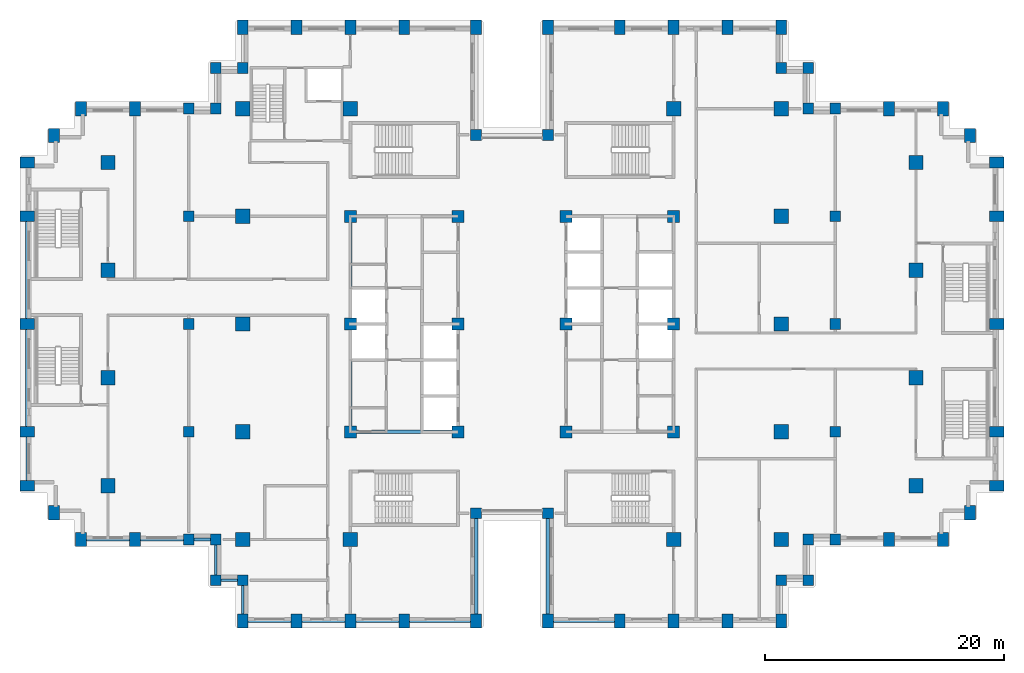
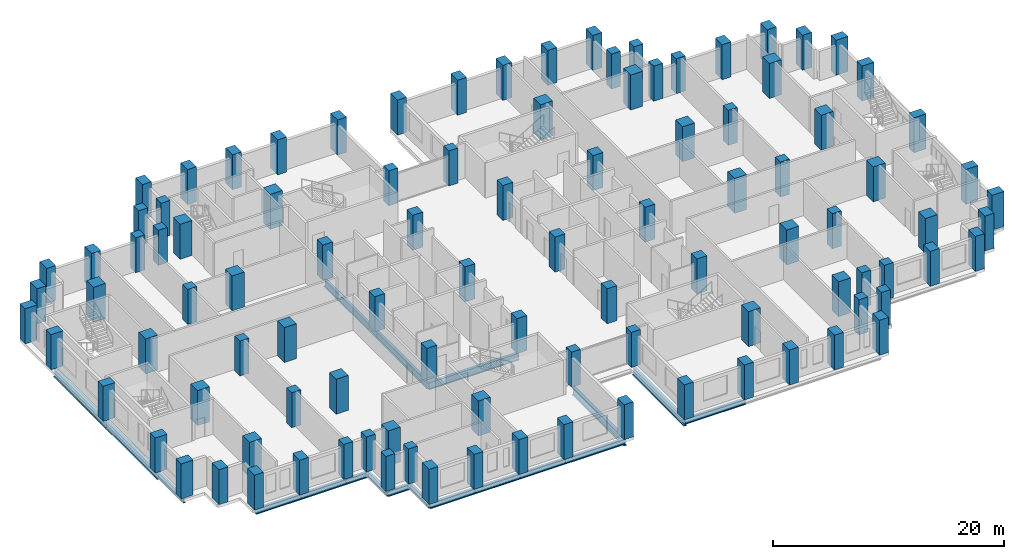
# One storey, part 1 of 16: 102 columns, 19 beams.
"""IFC4 building model written with IfcOpenShell, lengths in metres."""

from ifc_helpers import new_model, si_unit, direction, frame, origin, origin_2d, place, context, subcontext, project, spatial, rectangle, i_section, extrude, material, material_profile, profile_set, type_object, element, save


model = new_model("IFC4")

# Units and contexts
model_context = context("Model", 3, precision=1e-05, world=origin(), true_north=direction((0.0, 1.0)))
body_context = subcontext(model_context, "Body", "Model", "MODEL_VIEW")
ifc_project = project(units=[si_unit("LENGTHUNIT", "METRE"), si_unit("AREAUNIT", "SQUARE_METRE"), si_unit("VOLUMEUNIT", "CUBIC_METRE"), si_unit("PLANEANGLEUNIT", "RADIAN"), si_unit("MASSUNIT", "GRAM", prefix="KILO")], contexts=[model_context])

# Site, building, storey
site_placement = place(None, origin())
site = spatial("IfcSite", under=ifc_project, at=site_placement, CompositionType="ELEMENT")
building_placement = place(site_placement, origin())
building = spatial("IfcBuilding", under=site, at=building_placement, Name="Corbelhall Arena Tower", CompositionType="ELEMENT")
storey_placement = place(building_placement, frame((0.0, 0.0, 72.0)))
storey = spatial("IfcBuildingStorey", under=building, at=storey_placement, Name="L10", CompositionType="ELEMENT", Elevation=72.0)

# Columns
ifc_material_1 = material(Name="Concrete C80/95", Category="concrete")
ifc_material_profile_1 = material_profile(ifc_material_1, rectangle(XDim=1.0, YDim=1.0, at=origin_2d()))
ifc_profile_set_1 = profile_set([ifc_material_profile_1], Name="Concrete C80/95")
column_type_1 = type_object("IfcColumnType", Name="ST-COL-RC 1000x1000", PredefinedType="COLUMN", material=ifc_profile_set_1)
for number, where, z_axis, x_axis, name in (
    (1, (4.5, 0.0, 0.0), (0.0, 0.0, 1.0), (1.0, 0.0, 0.0), "Column KE+0450+0000"),
    (2, (4.5, 9.0, 0.0), (0.0, 0.0, 1.0), (1.0, 0.0, 0.0), "Column KE+0450+0900"),
    (3, (4.5, -9.0, 0.0), (0.0, 0.0, 1.0), (1.0, 0.0, 0.0), "Column KE+0450-0900"),
    (4, (13.5, 0.0, 0.0), (0.0, 0.0, 1.0), (1.0, 0.0, 0.0), "Column KE+1350+0000"),
    (5, (13.5, 9.0, 0.0), (0.0, 0.0, 1.0), (1.0, 0.0, 0.0), "Column KE+1350+0900"),
    (6, (13.5, -9.0, 0.0), (0.0, 0.0, 1.0), (1.0, 0.0, 0.0), "Column KE+1350-0900"),
    (7, (-4.5, 0.0, 0.0), (0.0, 0.0, 1.0), (1.0, 0.0, 0.0), "Column KW-0450+0000"),
    (8, (-4.5, 9.0, 0.0), (0.0, 0.0, 1.0), (1.0, 0.0, 0.0), "Column KW-0450+0900"),
    (9, (-4.5, -9.0, 0.0), (0.0, 0.0, 1.0), (1.0, 0.0, 0.0), "Column KW-0450-0900"),
    (10, (-13.5, 0.0, 0.0), (0.0, 0.0, 1.0), (1.0, 0.0, 0.0), "Column KW-1350+0000"),
    (11, (-13.5, 9.0, 0.0), (0.0, 0.0, 1.0), (1.0, 0.0, 0.0), "Column KW-1350+0900"),
    (12, (-13.5, -9.0, 0.0), (0.0, 0.0, 1.0), (1.0, 0.0, 0.0), "Column KW-1350-0900"),
):
    element("IfcColumn", number, at=place(storey_placement, frame(where, z_axis=z_axis, x_axis=x_axis)), inside=storey, type_object=column_type_1, Name=name, PredefinedType="COLUMN", context=body_context, shape_type="SweptSolid", body=[
        extrude(rectangle(XDim=1.0, YDim=1.0, at=origin_2d()), origin(), (0.0, 0.0, 1.0), 3.699951171875),
    ])
ifc_material_profile_2 = material_profile(ifc_material_1, rectangle(XDim=1.199951171875, YDim=1.199951171875, at=origin_2d()))
ifc_profile_set_2 = profile_set([ifc_material_profile_2], Name="Concrete C80/95")
column_type_2 = type_object("IfcColumnType", Name="ST-COL-RC 1200x1200", PredefinedType="COLUMN", material=ifc_profile_set_2)
for number, where, z_axis, x_axis, name in (
    (13, (-33.75, 4.5, 0.0), (0.0, 0.0, 1.0), (1.0, 0.0, 0.0), "Column FIC+0450"),
    (14, (-33.75, 13.5, 0.0), (0.0, 0.0, 1.0), (1.0, 0.0, 0.0), "Column FIC+1350"),
    (15, (-33.75, -4.5, 0.0), (0.0, 0.0, 1.0), (1.0, 0.0, 0.0), "Column FIC-0450"),
    (16, (-33.75, -13.5, 0.0), (0.0, 0.0, 1.0), (1.0, 0.0, 0.0), "Column FIC-1350"),
    (17, (33.75, 4.5, 0.0), (0.0, 0.0, 1.0), (1.0, 0.0, 0.0), "Column FID+0450"),
    (18, (33.75, 13.5, 0.0), (0.0, 0.0, 1.0), (1.0, 0.0, 0.0), "Column FID+1350"),
    (19, (33.75, -4.5, 0.0), (0.0, 0.0, 1.0), (1.0, 0.0, 0.0), "Column FID-0450"),
    (20, (33.75, -13.5, 0.0), (0.0, 0.0, 1.0), (1.0, 0.0, 0.0), "Column FID-1350"),
    (21, (13.5, 18.0, 0.0), (0.0, 0.0, 1.0), (1.0, 0.0, 0.0), "Column IE13+1800"),
    (22, (13.5, -18.0, 0.0), (0.0, 0.0, 1.0), (1.0, 0.0, 0.0), "Column IE13-1800"),
    (23, (22.5, 0.0, 0.0), (0.0, 0.0, 1.0), (1.0, 0.0, 0.0), "Column IE22+0000"),
    (24, (22.5, 9.0, 0.0), (0.0, 0.0, 1.0), (1.0, 0.0, 0.0), "Column IE22+0900"),
    (25, (22.5, 18.0, 0.0), (0.0, 0.0, 1.0), (1.0, 0.0, 0.0), "Column IE22+1800"),
    (26, (22.5, -9.0, 0.0), (0.0, 0.0, 1.0), (1.0, 0.0, 0.0), "Column IE22-0900"),
    (27, (22.5, -18.0, 0.0), (0.0, 0.0, 1.0), (1.0, 0.0, 0.0), "Column IE22-1800"),
    (28, (-13.5, 18.0, 0.0), (0.0, 0.0, 1.0), (1.0, 0.0, 0.0), "Column IW13+1800"),
    (29, (-13.5, -18.0, 0.0), (0.0, 0.0, 1.0), (1.0, 0.0, 0.0), "Column IW13-1800"),
    (30, (-22.5, 0.0, 0.0), (0.0, 0.0, 1.0), (1.0, 0.0, 0.0), "Column IW22+0000"),
    (31, (-22.5, 9.0, 0.0), (0.0, 0.0, 1.0), (1.0, 0.0, 0.0), "Column IW22+0900"),
    (32, (-22.5, 18.0, 0.0), (0.0, 0.0, 1.0), (1.0, 0.0, 0.0), "Column IW22+1800"),
    (33, (-22.5, -9.0, 0.0), (0.0, 0.0, 1.0), (1.0, 0.0, 0.0), "Column IW22-0900"),
    (34, (-22.5, -18.0, 0.0), (0.0, 0.0, 1.0), (1.0, 0.0, 0.0), "Column IW22-1800"),
):
    element("IfcColumn", number, at=place(storey_placement, frame(where, z_axis=z_axis, x_axis=x_axis)), inside=storey, type_object=column_type_2, Name=name, PredefinedType="COLUMN", context=body_context, shape_type="SweptSolid", body=[
        extrude(rectangle(XDim=1.199951171875, YDim=1.199951171875, at=origin_2d()), origin(), (0.0, 0.0, 1.0), 3.699951171875),
    ])
ifc_material_profile_3 = material_profile(ifc_material_1, rectangle(XDim=0.89990234375, YDim=1.199951171875, at=origin_2d()))
ifc_profile_set_3 = profile_set([ifc_material_profile_3], Name="Concrete C80/95")
column_type_3 = type_object("IfcColumnType", Name="ST-COL-RC 900x1200", PredefinedType="COLUMN", material=ifc_profile_set_3)
for number, where, z_axis, x_axis, name in (
    (35, (-40.5, 0.0, 0.0), (0.0, 0.0, 1.0), (0.0, 1.0, 0.0), "Column FC+0000"),
    (36, (-40.5, 9.0, 0.0), (0.0, 0.0, 1.0), (0.0, 1.0, 0.0), "Column FC+0900"),
    (37, (-40.5, 13.5, 0.0), (0.0, 0.0, 1.0), (0.0, 1.0, 0.0), "Column FC+1350"),
    (38, (-40.5, -9.0, 0.0), (0.0, 0.0, 1.0), (0.0, 1.0, 0.0), "Column FC-0900"),
    (39, (-40.5, -13.5, 0.0), (0.0, 0.0, 1.0), (0.0, 1.0, 0.0), "Column FC-1350"),
    (40, (-38.25, 15.75, 0.0), (0.0, 0.0, 1.0), (1.0, 0.0, 0.0), "Column FCCN"),
    (41, (-38.25, -15.75, 0.0), (0.0, 0.0, 1.0), (1.0, 0.0, 0.0), "Column FCCS"),
    (42, (-31.5, 18.0, 0.0), (0.0, 0.0, 1.0), (1.0, 0.0, 0.0), "Column FCN3150"),
    (43, (-36.0, 18.0, 0.0), (0.0, 0.0, 1.0), (1.0, 0.0, 0.0), "Column FCN3600"),
    (44, (-31.5, -18.0, 0.0), (0.0, 0.0, 1.0), (1.0, 0.0, 0.0), "Column FCS3150"),
    (45, (-36.0, -18.0, 0.0), (0.0, 0.0, 1.0), (1.0, 0.0, 0.0), "Column FCS3600"),
    (46, (40.5, 0.0, 0.0), (0.0, 0.0, 1.0), (0.0, 1.0, 0.0), "Column FD+0000"),
    (47, (40.5, 9.0, 0.0), (0.0, 0.0, 1.0), (0.0, 1.0, 0.0), "Column FD+0900"),
    (48, (40.5, 13.5, 0.0), (0.0, 0.0, 1.0), (0.0, 1.0, 0.0), "Column FD+1350"),
    (49, (40.5, -9.0, 0.0), (0.0, 0.0, 1.0), (0.0, 1.0, 0.0), "Column FD-0900"),
    (50, (40.5, -13.5, 0.0), (0.0, 0.0, 1.0), (0.0, 1.0, 0.0), "Column FD-1350"),
    (51, (38.25, 15.75, 0.0), (0.0, 0.0, 1.0), (1.0, 0.0, 0.0), "Column FDCN"),
    (52, (38.25, -15.75, 0.0), (0.0, 0.0, 1.0), (1.0, 0.0, 0.0), "Column FDCS"),
    (53, (31.5, 18.0, 0.0), (0.0, 0.0, 1.0), (1.0, 0.0, 0.0), "Column FDN3150"),
    (54, (36.0, 18.0, 0.0), (0.0, 0.0, 1.0), (1.0, 0.0, 0.0), "Column FDN3600"),
    (55, (31.5, -18.0, 0.0), (0.0, 0.0, 1.0), (1.0, 0.0, 0.0), "Column FDS3150"),
    (56, (36.0, -18.0, 0.0), (0.0, 0.0, 1.0), (1.0, 0.0, 0.0), "Column FDS3600"),
    (57, (3.0, 24.800048828125, 0.0), (0.0, 0.0, 1.0), (1.0, 0.0, 0.0), "Column PNE0300"),
    (58, (9.0, 24.800048828125, 0.0), (0.0, 0.0, 1.0), (1.0, 0.0, 0.0), "Column PNE0900"),
    (59, (13.5, 24.800048828125, 0.0), (0.0, 0.0, 1.0), (1.0, 0.0, 0.0), "Column PNE1350"),
    (60, (18.0, 24.800048828125, 0.0), (0.0, 0.0, 1.0), (1.0, 0.0, 0.0), "Column PNE1800"),
    (61, (22.5, 24.800048828125, 0.0), (0.0, 0.0, 1.0), (1.0, 0.0, 0.0), "Column PNE2250"),
    (62, (-3.0, 24.800048828125, 0.0), (0.0, 0.0, 1.0), (1.0, 0.0, 0.0), "Column PNW0300"),
    (63, (-9.0, 24.800048828125, 0.0), (0.0, 0.0, 1.0), (1.0, 0.0, 0.0), "Column PNW0900"),
    (64, (-13.5, 24.800048828125, 0.0), (0.0, 0.0, 1.0), (1.0, 0.0, 0.0), "Column PNW1350"),
    (65, (-18.0, 24.800048828125, 0.0), (0.0, 0.0, 1.0), (1.0, 0.0, 0.0), "Column PNW1800"),
    (66, (-22.5, 24.800048828125, 0.0), (0.0, 0.0, 1.0), (1.0, 0.0, 0.0), "Column PNW2250"),
    (67, (3.0, -24.800048828125, 0.0), (0.0, 0.0, 1.0), (1.0, 0.0, 0.0), "Column PSE0300"),
    (68, (9.0, -24.800048828125, 0.0), (0.0, 0.0, 1.0), (1.0, 0.0, 0.0), "Column PSE0900"),
    (69, (13.5, -24.800048828125, 0.0), (0.0, 0.0, 1.0), (1.0, 0.0, 0.0), "Column PSE1350"),
    (70, (18.0, -24.800048828125, 0.0), (0.0, 0.0, 1.0), (1.0, 0.0, 0.0), "Column PSE1800"),
    (71, (22.5, -24.800048828125, 0.0), (0.0, 0.0, 1.0), (1.0, 0.0, 0.0), "Column PSE2250"),
    (72, (-3.0, -24.800048828125, 0.0), (0.0, 0.0, 1.0), (1.0, 0.0, 0.0), "Column PSW0300"),
    (73, (-9.0, -24.800048828125, 0.0), (0.0, 0.0, 1.0), (1.0, 0.0, 0.0), "Column PSW0900"),
    (74, (-13.5, -24.800048828125, 0.0), (0.0, 0.0, 1.0), (1.0, 0.0, 0.0), "Column PSW1350"),
    (75, (-18.0, -24.800048828125, 0.0), (0.0, 0.0, 1.0), (1.0, 0.0, 0.0), "Column PSW1800"),
    (76, (-22.5, -24.800048828125, 0.0), (0.0, 0.0, 1.0), (1.0, 0.0, 0.0), "Column PSW2250"),
):
    element("IfcColumn", number, at=place(storey_placement, frame(where, z_axis=z_axis, x_axis=x_axis)), inside=storey, type_object=column_type_3, Name=name, PredefinedType="COLUMN", context=body_context, shape_type="SweptSolid", body=[
        extrude(rectangle(XDim=0.89990234375, YDim=1.199951171875, at=origin_2d()), origin(), (0.0, 0.0, 1.0), 3.699951171875),
    ])
ifc_material_profile_4 = material_profile(ifc_material_1, rectangle(XDim=0.89990234375, YDim=0.89990234375, at=origin_2d()))
ifc_profile_set_4 = profile_set([ifc_material_profile_4], Name="Concrete C80/95")
column_type_4 = type_object("IfcColumnType", Name="ST-COL-RC 900x900", PredefinedType="COLUMN", material=ifc_profile_set_4)
for number, where, z_axis, x_axis, name in (
    (77, (27.0, 0.0, 0.0), (0.0, 0.0, 1.0), (1.0, 0.0, 0.0), "Column PE+0000"),
    (78, (27.0, 9.0, 0.0), (0.0, 0.0, 1.0), (1.0, 0.0, 0.0), "Column PE+0900"),
    (79, (27.0, 18.0, 0.0), (0.0, 0.0, 1.0), (1.0, 0.0, 0.0), "Column PE+1800"),
    (80, (27.0, -9.0, 0.0), (0.0, 0.0, 1.0), (1.0, 0.0, 0.0), "Column PE-0900"),
    (81, (27.0, -18.0, 0.0), (0.0, 0.0, 1.0), (1.0, 0.0, 0.0), "Column PE-1800"),
    (82, (-27.0, 0.0, 0.0), (0.0, 0.0, 1.0), (1.0, 0.0, 0.0), "Column PW+0000"),
    (83, (-27.0, 9.0, 0.0), (0.0, 0.0, 1.0), (1.0, 0.0, 0.0), "Column PW+0900"),
    (84, (-27.0, 18.0, 0.0), (0.0, 0.0, 1.0), (1.0, 0.0, 0.0), "Column PW+1800"),
    (85, (-27.0, -9.0, 0.0), (0.0, 0.0, 1.0), (1.0, 0.0, 0.0), "Column PW-0900"),
    (86, (-27.0, -18.0, 0.0), (0.0, 0.0, 1.0), (1.0, 0.0, 0.0), "Column PW-1800"),
    (87, (3.0, 15.800048828125, 0.0), (0.0, 0.0, 1.0), (1.0, 0.0, 0.0), "Column SLNE2"),
    (88, (-3.0, 15.800048828125, 0.0), (0.0, 0.0, 1.0), (1.0, 0.0, 0.0), "Column SLNW2"),
    (89, (3.0, -15.800048828125, 0.0), (0.0, 0.0, 1.0), (1.0, 0.0, 0.0), "Column SLSE2"),
    (90, (-3.0, -15.800048828125, 0.0), (0.0, 0.0, 1.0), (1.0, 0.0, 0.0), "Column SLSW2"),
    (91, (22.5, 21.39990234375, 0.0), (0.0, 0.0, 1.0), (1.0, 0.0, 0.0), "Column XNE1"),
    (92, (24.75, 21.39990234375, 0.0), (0.0, 0.0, 1.0), (1.0, 0.0, 0.0), "Column XNE2"),
    (93, (24.75, 18.0, 0.0), (0.0, 0.0, 1.0), (1.0, 0.0, 0.0), "Column XNE3"),
    (94, (-22.5, 21.39990234375, 0.0), (0.0, 0.0, 1.0), (1.0, 0.0, 0.0), "Column XNW1"),
    (95, (-24.75, 21.39990234375, 0.0), (0.0, 0.0, 1.0), (1.0, 0.0, 0.0), "Column XNW2"),
    (96, (-24.75, 18.0, 0.0), (0.0, 0.0, 1.0), (1.0, 0.0, 0.0), "Column XNW3"),
    (97, (22.5, -21.39990234375, 0.0), (0.0, 0.0, 1.0), (1.0, 0.0, 0.0), "Column XSE1"),
    (98, (24.75, -21.39990234375, 0.0), (0.0, 0.0, 1.0), (1.0, 0.0, 0.0), "Column XSE2"),
    (99, (24.75, -18.0, 0.0), (0.0, 0.0, 1.0), (1.0, 0.0, 0.0), "Column XSE3"),
    (100, (-22.5, -21.39990234375, 0.0), (0.0, 0.0, 1.0), (1.0, 0.0, 0.0), "Column XSW1"),
    (101, (-24.75, -21.39990234375, 0.0), (0.0, 0.0, 1.0), (1.0, 0.0, 0.0), "Column XSW2"),
    (102, (-24.75, -18.0, 0.0), (0.0, 0.0, 1.0), (1.0, 0.0, 0.0), "Column XSW3"),
):
    element("IfcColumn", number, at=place(storey_placement, frame(where, z_axis=z_axis, x_axis=x_axis)), inside=storey, type_object=column_type_4, Name=name, PredefinedType="COLUMN", context=body_context, shape_type="SweptSolid", body=[
        extrude(rectangle(XDim=0.89990234375, YDim=0.89990234375, at=origin_2d()), origin(), (0.0, 0.0, 1.0), 3.699951171875),
    ])

# Beams
ifc_material_2 = material(Name="Steel ASTM A992 Gr50", Category="steel")
ifc_material_profile_5 = material_profile(ifc_material_2, i_section(OverallWidth=0.2666015625, OverallDepth=0.761962890625, WebThickness=0.014404296875, FlangeThickness=0.021484375, at=origin_2d()))
ifc_profile_set_5 = profile_set([ifc_material_profile_5], Name="Steel ASTM A992 Gr50")
beam_type_1 = type_object("IfcBeamType", Name="ST-BEAM-W30x116", PredefinedType="BEAM", material=ifc_profile_set_5)
for number, where, z_axis, x_axis, name in (
    (103, (-13.5, -9.0, -0.680908203125), (0.0, 1.0, 0.0), (-1.0, 0.0, 0.0), "Beam CEW 1"),
    (104, (-13.5, 0.0, -0.680908203125), (0.0, 1.0, 0.0), (-1.0, 0.0, 0.0), "Beam CEW 2"),
    (105, (-13.5, -9.0, -0.680908203125), (1.0, 0.0, 0.0), (0.0, 1.0, 0.0), "Beam CEW 5"),
):
    element("IfcBeam", number, at=place(storey_placement, frame(where, z_axis=z_axis, x_axis=x_axis)), inside=storey, type_object=beam_type_1, Name=name, PredefinedType="BEAM", context=body_context, shape_type="SweptSolid", body=[
        extrude(i_section(OverallWidth=0.2666015625, OverallDepth=0.761962890625, WebThickness=0.014404296875, FlangeThickness=0.021484375, at=origin_2d()), origin(), (0.0, 0.0, 1.0), 9.0),
    ])
ifc_material_profile_6 = material_profile(ifc_material_2, i_section(OverallWidth=0.23046875, OverallDepth=0.6171875, WebThickness=0.01318359375, FlangeThickness=0.022216796875, at=origin_2d()))
ifc_profile_set_6 = profile_set([ifc_material_profile_6], Name="Steel ASTM A992 Gr50")
beam_type_2 = type_object("IfcBeamType", Name="ST-SPANDREL-W24x94", PredefinedType="SPANDREL", material=ifc_profile_set_6)
for number, where, z_axis, x_axis, name in (
    (106, (-40.5, -13.5, -0.608642578125), (0.0, 1.0, 0.0), (-1.0, 0.0, 0.0), "Beam SP 4"),
    (107, (-31.5, -18.0, -0.608642578125), (-1.0, 0.0, 0.0), (0.0, -1.0, 0.0), "Beam SP 7"),
):
    element("IfcBeam", number, at=place(storey_placement, frame(where, z_axis=z_axis, x_axis=x_axis)), inside=storey, type_object=beam_type_2, Name=name, PredefinedType="SPANDREL", context=body_context, shape_type="SweptSolid", body=[
        extrude(i_section(OverallWidth=0.23046875, OverallDepth=0.6171875, WebThickness=0.01318359375, FlangeThickness=0.022216796875, at=origin_2d()), origin(), (0.0, 0.0, 1.0), 4.5),
    ])
for number, where, z_axis, x_axis, name in (
    (108, (9.0, -24.800048828125, -0.608642578125), (-1.0, 0.0, 0.0), (0.0, -1.0, 0.0), "Beam SP 28"),
    (109, (-3.0, -24.800048828125, -0.608642578125), (-1.0, 0.0, 0.0), (0.0, -1.0, 0.0), "Beam SP 32"),
):
    element("IfcBeam", number, at=place(storey_placement, frame(where, z_axis=z_axis, x_axis=x_axis)), inside=storey, type_object=beam_type_2, Name=name, PredefinedType="SPANDREL", context=body_context, shape_type="SweptSolid", body=[
        extrude(i_section(OverallWidth=0.23046875, OverallDepth=0.6171875, WebThickness=0.01318359375, FlangeThickness=0.022216796875, at=origin_2d()), origin(), (0.0, 0.0, 1.0), 6.0),
    ])
for number, where, z_axis, x_axis, name in (
    (110, (-9.0, -24.800048828125, -0.608642578125), (-1.0, 0.0, 0.0), (0.0, -1.0, 0.0), "Beam SP 33"),
    (111, (-13.5, -24.800048828125, -0.608642578125), (-1.0, 0.0, 0.0), (0.0, -1.0, 0.0), "Beam SP 34"),
    (112, (-18.0, -24.800048828125, -0.608642578125), (-1.0, 0.0, 0.0), (0.0, -1.0, 0.0), "Beam SP 35"),
):
    element("IfcBeam", number, at=place(storey_placement, frame(where, z_axis=z_axis, x_axis=x_axis)), inside=storey, type_object=beam_type_2, Name=name, PredefinedType="SPANDREL", context=body_context, shape_type="SweptSolid", body=[
        extrude(i_section(OverallWidth=0.23046875, OverallDepth=0.6171875, WebThickness=0.01318359375, FlangeThickness=0.022216796875, at=origin_2d()), origin(), (0.0, 0.0, 1.0), 4.5),
    ])
beam_1_placement = place(storey_placement, frame((-22.5, -24.800048828125, -0.608642578125), z_axis=(0.0, 1.0, 0.0), x_axis=(-1.0, 0.0, 0.0)))
element("IfcBeam", 113, at=beam_1_placement, inside=storey, type_object=beam_type_2, Name="Beam SP 36", PredefinedType="SPANDREL", context=body_context, shape_type="SweptSolid", body=[
    extrude(i_section(OverallWidth=0.23046875, OverallDepth=0.6171875, WebThickness=0.01318359375, FlangeThickness=0.022216796875, at=origin_2d()), origin(), (0.0, 0.0, 1.0), 3.400146484375),
])
beam_2_placement = place(storey_placement, frame((-27.0, -18.0, -0.608642578125), z_axis=(-1.0, 0.0, 0.0), x_axis=(0.0, -1.0, 0.0)))
element("IfcBeam", 114, at=beam_2_placement, inside=storey, type_object=beam_type_2, Name="Beam SP 38", PredefinedType="SPANDREL", context=body_context, shape_type="SweptSolid", body=[
    extrude(i_section(OverallWidth=0.23046875, OverallDepth=0.6171875, WebThickness=0.01318359375, FlangeThickness=0.022216796875, at=origin_2d()), origin(), (0.0, 0.0, 1.0), 4.5),
])
beam_3_placement = place(storey_placement, frame((-22.5, -21.39990234375, -0.608642578125), z_axis=(-1.0, 0.0, 0.0), x_axis=(0.0, -1.0, 0.0)))
element("IfcBeam", 115, at=beam_3_placement, inside=storey, type_object=beam_type_2, Name="Beam SP 52", PredefinedType="SPANDREL", context=body_context, shape_type="SweptSolid", body=[
    extrude(i_section(OverallWidth=0.23046875, OverallDepth=0.6171875, WebThickness=0.01318359375, FlangeThickness=0.022216796875, at=origin_2d()), origin(), (0.0, 0.0, 1.0), 2.25),
])
beam_4_placement = place(storey_placement, frame((-24.75, -21.39990234375, -0.608642578125), z_axis=(0.0, 1.0, 0.0), x_axis=(-1.0, 0.0, 0.0)))
element("IfcBeam", 116, at=beam_4_placement, inside=storey, type_object=beam_type_2, Name="Beam SP 53", PredefinedType="SPANDREL", context=body_context, shape_type="SweptSolid", body=[
    extrude(i_section(OverallWidth=0.23046875, OverallDepth=0.6171875, WebThickness=0.01318359375, FlangeThickness=0.022216796875, at=origin_2d()), origin(), (0.0, 0.0, 1.0), 3.39990234375),
])
beam_5_placement = place(storey_placement, frame((-24.75, -18.0, -0.608642578125), z_axis=(-1.0, 0.0, 0.0), x_axis=(0.0, -1.0, 0.0)))
element("IfcBeam", 117, at=beam_5_placement, inside=storey, type_object=beam_type_2, Name="Beam SP 54", PredefinedType="SPANDREL", context=body_context, shape_type="SweptSolid", body=[
    extrude(i_section(OverallWidth=0.23046875, OverallDepth=0.6171875, WebThickness=0.01318359375, FlangeThickness=0.022216796875, at=origin_2d()), origin(), (0.0, 0.0, 1.0), 2.25),
])
ifc_material_profile_7 = material_profile(ifc_material_2, i_section(OverallWidth=0.2919921875, OverallDepth=0.845703125, WebThickness=0.015380859375, FlangeThickness=0.0244140625, at=origin_2d()))
ifc_profile_set_7 = profile_set([ifc_material_profile_7], Name="Steel ASTM A992 Gr50")
beam_type_3 = type_object("IfcBeamType", Name="ST-SPANDREL-W33x141", PredefinedType="SPANDREL", material=ifc_profile_set_7)
for number, where, z_axis, x_axis, name in (
    (118, (-40.5, 0.0, -0.722900390625), (0.0, 1.0, 0.0), (-1.0, 0.0, 0.0), "Beam SP 1"),
    (119, (-40.5, -9.0, -0.722900390625), (0.0, 1.0, 0.0), (-1.0, 0.0, 0.0), "Beam SP 3"),
    (120, (3.0, -24.800048828125, -0.722900390625), (0.0, 1.0, 0.0), (-1.0, 0.0, 0.0), "Beam SP 27"),
    (121, (-3.0, -15.800048828125, -0.722900390625), (0.0, -1.0, 0.0), (1.0, 0.0, 0.0), "Beam SP 42"),
):
    element("IfcBeam", number, at=place(storey_placement, frame(where, z_axis=z_axis, x_axis=x_axis)), inside=storey, type_object=beam_type_3, Name=name, PredefinedType="SPANDREL", context=body_context, shape_type="SweptSolid", body=[
        extrude(i_section(OverallWidth=0.2919921875, OverallDepth=0.845703125, WebThickness=0.015380859375, FlangeThickness=0.0244140625, at=origin_2d()), origin(), (0.0, 0.0, 1.0), 9.0),
    ])

save(model, "model.ifc")
